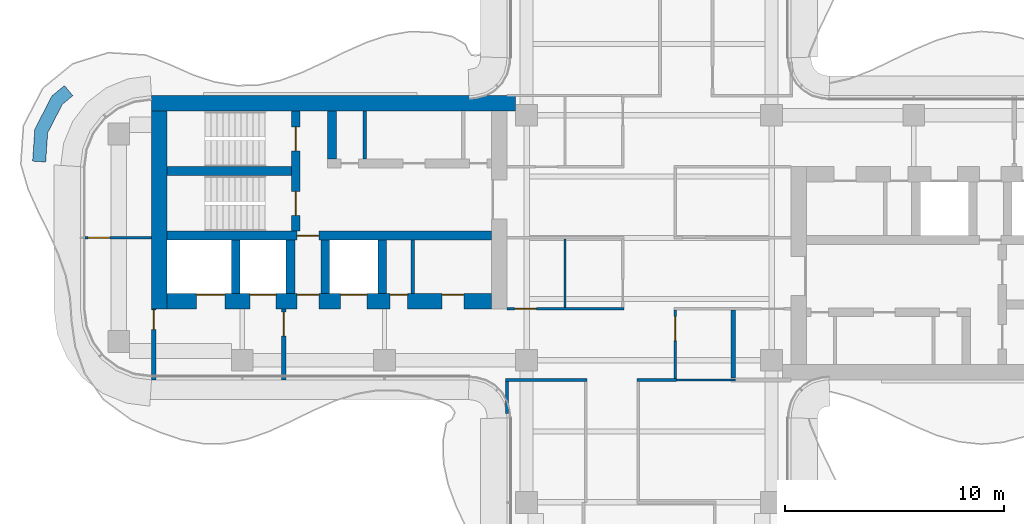
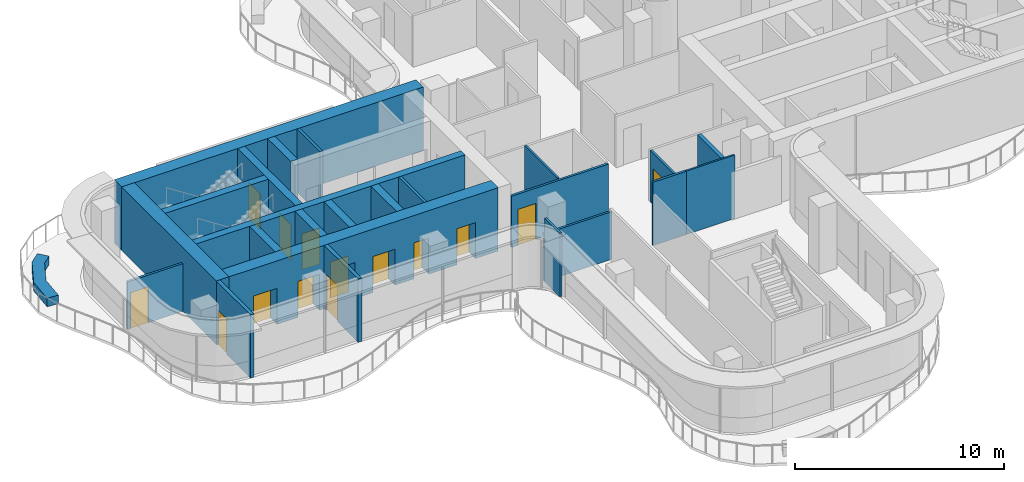
# One storey, part 11 of 16: 25 walls, 14 doors, 14 openings.
"""IFC4 building model written with IfcOpenShell, lengths in metres."""

from ifc_helpers import new_model, si_unit, direction, frame, frame_2d, origin, place, context, subcontext, project, spatial, polyline, rectangle, outline, extrude, source, transform, mapped, material, layer, layer_set, type_object, element, fill, save


model = new_model("IFC4")

# Units and contexts
model_context = context("Model", 3, precision=1e-05, world=origin(), true_north=direction((0.0, 1.0)))
body_context = subcontext(model_context, "Body", "Model", "MODEL_VIEW")
ifc_project = project(units=[si_unit("LENGTHUNIT", "METRE"), si_unit("AREAUNIT", "SQUARE_METRE"), si_unit("VOLUMEUNIT", "CUBIC_METRE"), si_unit("PLANEANGLEUNIT", "RADIAN"), si_unit("MASSUNIT", "GRAM", prefix="KILO")], contexts=[model_context])

# Site, building, storey
site_placement = place(None, origin())
site = spatial("IfcSite", under=ifc_project, at=site_placement, CompositionType="ELEMENT")
building_placement = place(site_placement, origin())
building = spatial("IfcBuilding", under=site, at=building_placement, Name="Trellis Farm Tower", CompositionType="ELEMENT")
storey_placement = place(building_placement, frame((0.0, 0.0, 318.39990234375)))
storey = spatial("IfcBuildingStorey", under=building, at=storey_placement, Name="L72", CompositionType="ELEMENT", Elevation=318.39990234375)

# Walls
ifc_material_1 = material(Name="Plasterboard on steel studs", Category="steel")
ifc_layer_1 = layer(ifc_material_1, 0.10009765625)
ifc_layer_set_1 = layer_set([ifc_layer_1], Name="PARTITION 100 STUD EI 30")
wall_type_1 = type_object("IfcWallType", Name="PARTITION 100 STUD EI 30", PredefinedType="PARTITIONING", material=ifc_layer_set_1)
wall_1_placement = place(storey_placement, frame((1.137451171875, -6.5, 0.0), z_axis=(0.0, 0.0, 1.0), x_axis=(1.0, 0.0, 0.0)))
element("IfcWall", 1, at=wall_1_placement, inside=storey, type_object=wall_type_1, Name="Partition PW2", PredefinedType="PARTITIONING", context=body_context, shape_type="SweptSolid", body=[
    extrude(rectangle(XDim=2.8125, YDim=0.10009765625, at=frame_2d((1.40625, 0.0))), origin(), (0.0, 0.0, 1.0), 3.7001953125),
])
ifc_material_2 = material(Name="Sandstone faced masonry planter", Category="masonry")
ifc_layer_2 = layer(ifc_material_2, 0.60009765625)
ifc_layer_set_2 = layer_set([ifc_layer_2], Name="PLANTER BED 600")
wall_type_2 = type_object("IfcWallType", Name="PLANTER BED 600", PredefinedType="USERDEFINED", material=ifc_layer_set_2)
wall_2_placement = place(storey_placement, origin())
element("IfcWall", 2, at=wall_2_placement, inside=storey, type_object=wall_type_2, Name="PLANTER bed", ObjectType="PLANTER", PredefinedType="USERDEFINED", context=body_context, shape_type="SweptSolid", body=[
    extrude(outline(polyline([(-28.08642578125, 4.96337890625), (-27.302490234375, 6.48583984375), (-26.728759765625, 6.959228515625), (-26.346923828125, 6.496337890625), (-26.82568359375, 6.1015625), (-27.49609375, 4.799072265625), (-27.5869140625, 3.462646484375), (-28.185546875, 3.50341796875), (-28.08642578125, 4.96337890625)])), origin(), (0.0, 0.0, 1.0), 0.5),
])
ifc_material_3 = material(Name="Concrete C50/60", Category="concrete")
ifc_layer_3 = layer(ifc_material_3, 0.699951171875)
ifc_layer_set_3 = layer_set([ifc_layer_3], Name="CORE OUTER WALL 700 CONCRETE C50/60")
wall_type_3 = type_object("IfcWallType", Name="CORE OUTER WALL 700 CONCRETE C50/60", PredefinedType="SHEAR", material=ifc_layer_set_3)
shared_shape_1 = source(origin(), body_context, "Body", "SweptSolid", [
    extrude(rectangle(XDim=9.050048828125, YDim=0.699951171875, at=frame_2d((4.52490234375, 0.0))), origin(), (0.0, 0.0, 1.0), 3.7001953125),
])
wall_3_placement = place(storey_placement, frame((-22.39990234375, 5.800048828125, 0.0), z_axis=(0.0, 0.0, 1.0), x_axis=(0.0, -1.0, 0.0)))
element("IfcWall", 3, at=wall_3_placement, inside=storey, type_object=wall_type_3, Name="Core wall", PredefinedType="SHEAR", context=body_context, shape_type="MappedRepresentation", body=[
    mapped(shared_shape_1, transform((0.0, 0.0, 0.0))),
])
ifc_layer_4 = layer(ifc_material_3, 0.39990234375)
ifc_layer_set_4 = layer_set([ifc_layer_4], Name="CORE INNER WALL 400 CONCRETE C50/60")
wall_type_4 = type_object("IfcWallType", Name="CORE INNER WALL 400 CONCRETE C50/60", PredefinedType="SHEAR", material=ifc_layer_set_4)
shared_shape_2 = source(origin(), body_context, "Body", "SweptSolid", [
    extrude(rectangle(XDim=2.449951171875, YDim=0.39990234375, at=frame_2d((1.22509765625, 0.0))), origin(), (0.0, 0.0, 1.0), 3.7001953125),
])
for number, where, z_axis, x_axis, name in (
    (4, (-12.199951171875, -0.10009765625, 0.0), (0.0, 0.0, 1.0), (0.0, -1.0, 0.0), "Core wall"),
    (5, (-14.800048828125, -0.10009765625, 0.0), (0.0, 0.0, 1.0), (0.0, -1.0, 0.0), "Core wall"),
    (6, (-16.39990234375, -0.10009765625, 0.0), (0.0, 0.0, 1.0), (0.0, -1.0, 0.0), "Core wall"),
    (7, (-18.89990234375, -0.10009765625, 0.0), (0.0, 0.0, 1.0), (0.0, -1.0, 0.0), "Core wall"),
):
    element("IfcWall", number, at=place(storey_placement, frame(where, z_axis=z_axis, x_axis=x_axis)), inside=storey, type_object=wall_type_4, Name=name, PredefinedType="SHEAR", context=body_context, shape_type="MappedRepresentation", body=[
        mapped(shared_shape_2, transform((0.0, 0.0, 0.0))),
    ])

# Wall, opening, door
ifc_material_4 = material(Name="Masonry blockwork", Category="masonry")
ifc_layer_5 = layer(ifc_material_4, 0.199951171875)
ifc_layer_set_5 = layer_set([ifc_layer_5], Name="FIRE LOBBY PARTITION 200 BLOCKWORK")
wall_type_5 = type_object("IfcWallType", Name="FIRE LOBBY PARTITION 200 BLOCKWORK", PredefinedType="PARTITIONING", material=ifc_layer_set_5)
shared_shape_3 = source(origin(), body_context, "Body", "SweptSolid", [
    extrude(rectangle(XDim=3.25, YDim=0.199951171875, at=frame_2d((1.625, 0.0))), origin(), (0.0, 0.0, 1.0), 3.7001953125),
])
wall_4_placement = place(storey_placement, frame((-16.699951171875, -3.25, 0.0), z_axis=(0.0, 0.0, 1.0), x_axis=(0.0, -1.0, 0.0)))
wall_4 = element("IfcWall", 8, at=wall_4_placement, inside=storey, type_object=wall_type_5, Name="Fire-fighting lobby partition", PredefinedType="PARTITIONING", context=body_context, shape_type="MappedRepresentation", body=[
    mapped(shared_shape_3, transform((0.0, 0.0, 0.0))),
])
shared_shape_4 = source(origin(), body_context, "Body", "SweptSolid", [
    extrude(rectangle(XDim=1.10009765625, YDim=2.10009765625, at=frame_2d((0.550048828125, 1.050048828125))), frame((0.0, 0.110107421875, 0.0), z_axis=(0.0, -1.0, 0.0), x_axis=(1.0, 0.0, 0.0)), (0.0, 0.0, 1.0), 0.22021484375),
])
opening_1_placement = place(wall_4_placement, frame((0.14990234375, 0.0, 0.0)))
opening_1 = element("IfcOpeningElement", 9, at=opening_1_placement, cuts=wall_4, Name="Opening DC93", PredefinedType="OPENING", context=body_context, shape_type="MappedRepresentation", body=[
    mapped(shared_shape_4, transform((0.0, 0.0, 0.0))),
])
ifc_material_5 = material(Name="Steel", Category="steel")
door_type_1 = type_object("IfcDoorType", Name="CORE FIRE DOOR 1100 X 2100", OperationType="NOTDEFINED", PredefinedType="DOOR", material=ifc_material_5)
shared_shape_5 = source(origin(), body_context, "Body", "SweptSolid", [
    extrude(rectangle(XDim=1.10009765625, YDim=2.10009765625, at=frame_2d((0.550048828125, 1.050048828125))), frame((0.0, 0.02490234375, 0.0), z_axis=(0.0, -1.0, 0.0), x_axis=(1.0, 0.0, 0.0)), (0.0, 0.0, 1.0), 0.050048828125),
])
door_1_placement = place(opening_1_placement, origin())
door_1 = element("IfcDoor", 10, at=door_1_placement, inside=storey, type_object=door_type_1, Name="Core door", OperationType="SINGLE_SWING_RIGHT", OverallHeight=2.10009765625, OverallWidth=1.10009765625, PredefinedType="DOOR", context=body_context, shape_type="MappedRepresentation", body=[
    mapped(shared_shape_5, transform((0.0, 0.0, 0.0))),
])
fill(opening_1, door_1)

wall_5_placement = place(storey_placement, frame((-22.64990234375, -3.25, 0.0), z_axis=(0.0, 0.0, 1.0), x_axis=(0.0, -1.0, 0.0)))
wall_5 = element("IfcWall", 11, at=wall_5_placement, inside=storey, type_object=wall_type_5, Name="Fire-fighting lobby partition", PredefinedType="PARTITIONING", context=body_context, shape_type="MappedRepresentation", body=[
    mapped(shared_shape_3, transform((0.0, 0.0, 0.0))),
])
shared_shape_6 = source(origin(), body_context, "Body", "SweptSolid", [
    extrude(rectangle(XDim=0.89990234375, YDim=2.10009765625, at=frame_2d((0.449951171875, 1.050048828125))), frame((0.0, 0.110107421875, 0.0), z_axis=(0.0, -1.0, 0.0), x_axis=(1.0, 0.0, 0.0)), (0.0, 0.0, 1.0), 0.22021484375),
])
opening_2_placement = place(wall_5_placement, frame((0.050048828125, 0.0, 0.0)))
opening_2 = element("IfcOpeningElement", 12, at=opening_2_placement, cuts=wall_5, Name="Opening DC94", PredefinedType="OPENING", context=body_context, shape_type="MappedRepresentation", body=[
    mapped(shared_shape_6, transform((0.0, 0.0, 0.0))),
])
door_type_2 = type_object("IfcDoorType", Name="CORE FIRE DOOR 900 X 2100", OperationType="NOTDEFINED", PredefinedType="DOOR", material=ifc_material_5)
shared_shape_7 = source(origin(), body_context, "Body", "SweptSolid", [
    extrude(rectangle(XDim=0.89990234375, YDim=2.10009765625, at=frame_2d((0.449951171875, 1.050048828125))), frame((0.0, 0.02490234375, 0.0), z_axis=(0.0, -1.0, 0.0), x_axis=(1.0, 0.0, 0.0)), (0.0, 0.0, 1.0), 0.050048828125),
])
door_2_placement = place(opening_2_placement, origin())
door_2 = element("IfcDoor", 13, at=door_2_placement, inside=storey, type_object=door_type_2, Name="Core door", OperationType="SINGLE_SWING_RIGHT", OverallHeight=2.10009765625, OverallWidth=0.89990234375, PredefinedType="DOOR", context=body_context, shape_type="MappedRepresentation", body=[
    mapped(shared_shape_7, transform((0.0, 0.0, 0.0))),
])
fill(opening_2, door_2)

# Wall, openings, doors
shared_shape_8 = source(origin(), body_context, "Body", "SweptSolid", [
    extrude(rectangle(XDim=14.85009765625, YDim=0.699951171875, at=frame_2d((7.425048828125, 0.0))), origin(), (0.0, 0.0, 1.0), 3.7001953125),
])
wall_6_placement = place(storey_placement, frame((-7.199951171875, -2.89990234375, 0.0), z_axis=(0.0, 0.0, 1.0), x_axis=(-1.0, 0.0, 0.0)))
wall_6 = element("IfcWall", 14, at=wall_6_placement, inside=storey, type_object=wall_type_3, Name="Core wall", PredefinedType="SHEAR", context=body_context, shape_type="MappedRepresentation", body=[
    mapped(shared_shape_8, transform((0.0, 0.0, 0.0))),
])
shared_shape_9 = source(origin(), body_context, "Body", "SweptSolid", [
    extrude(rectangle(XDim=1.199951171875, YDim=2.10009765625, at=frame_2d((0.60009765625, 1.050048828125))), frame((0.0, 0.360107421875, 0.0), z_axis=(0.0, -1.0, 0.0), x_axis=(1.0, 0.0, 0.0)), (0.0, 0.0, 1.0), 0.72021484375),
])
opening_3_placement = place(wall_6_placement, frame((5.699951171875, 0.0, 0.0)))
opening_3 = element("IfcOpeningElement", 15, at=opening_3_placement, cuts=wall_6, Name="Opening LD14", PredefinedType="OPENING", context=body_context, shape_type="MappedRepresentation", body=[
    mapped(shared_shape_9, transform((0.0, 0.0, 0.0))),
])
shared_shape_10 = source(origin(), body_context, "Body", "SweptSolid", [
    extrude(rectangle(XDim=1.300048828125, YDim=2.10009765625, at=frame_2d((0.64990234375, 1.050048828125))), frame((0.0, 0.360107421875, 0.0), z_axis=(0.0, -1.0, 0.0), x_axis=(1.0, 0.0, 0.0)), (0.0, 0.0, 1.0), 0.72021484375),
])
opening_4_placement = place(wall_6_placement, frame((12.199951171875, 0.0, 0.0)))
opening_4 = element("IfcOpeningElement", 16, at=opening_4_placement, cuts=wall_6, Name="Opening LD15", PredefinedType="OPENING", context=body_context, shape_type="MappedRepresentation", body=[
    mapped(shared_shape_10, transform((0.0, 0.0, 0.0))),
])
opening_5_placement = place(wall_6_placement, frame((9.85009765625, 0.0, 0.0)))
opening_5 = element("IfcOpeningElement", 17, at=opening_5_placement, cuts=wall_6, Name="Opening LD16", PredefinedType="OPENING", context=body_context, shape_type="MappedRepresentation", body=[
    mapped(shared_shape_9, transform((0.0, 0.0, 0.0))),
])
shared_shape_11 = source(origin(), body_context, "Body", "SweptSolid", [
    extrude(rectangle(XDim=1.0, YDim=2.10009765625, at=frame_2d((0.5, 1.050048828125))), frame((0.0, 0.360107421875, 0.0), z_axis=(0.0, -1.0, 0.0), x_axis=(1.0, 0.0, 0.0)), (0.0, 0.0, 1.0), 0.72021484375),
])
opening_6_placement = place(wall_6_placement, frame((7.89990234375, 0.0, 0.0)))
opening_6 = element("IfcOpeningElement", 18, at=opening_6_placement, cuts=wall_6, Name="Opening DC92", PredefinedType="OPENING", context=body_context, shape_type="MappedRepresentation", body=[
    mapped(shared_shape_11, transform((0.0, 0.0, 0.0))),
])
opening_7_placement = place(wall_6_placement, frame((1.262451171875, 0.0, 0.0)))
opening_7 = element("IfcOpeningElement", 19, at=opening_7_placement, cuts=wall_6, Name="Opening DC100", PredefinedType="OPENING", context=body_context, shape_type="MappedRepresentation", body=[
    mapped(shared_shape_11, transform((0.0, 0.0, 0.0))),
])
shared_shape_12 = source(origin(), body_context, "Body", "SweptSolid", [
    extrude(rectangle(XDim=0.800048828125, YDim=2.10009765625, at=frame_2d((0.39990234375, 1.050048828125))), frame((0.0, 0.360107421875, 0.0), z_axis=(0.0, -1.0, 0.0), x_axis=(1.0, 0.0, 0.0)), (0.0, 0.0, 1.0), 0.72021484375),
])
opening_8_placement = place(wall_6_placement, frame((3.83740234375, 0.0, 0.0)))
opening_8 = element("IfcOpeningElement", 20, at=opening_8_placement, cuts=wall_6, Name="Opening DC101", PredefinedType="OPENING", context=body_context, shape_type="MappedRepresentation", body=[
    mapped(shared_shape_12, transform((0.0, 0.0, 0.0))),
])
door_type_3 = type_object("IfcDoorType", Name="CORE FIRE DOOR 1000 X 2100", OperationType="NOTDEFINED", PredefinedType="DOOR", material=ifc_material_5)
shared_shape_13 = source(origin(), body_context, "Body", "SweptSolid", [
    extrude(rectangle(XDim=1.0, YDim=2.10009765625, at=frame_2d((0.5, 1.050048828125))), frame((0.0, -0.27490234375, 0.0), z_axis=(0.0, -1.0, 0.0), x_axis=(1.0, 0.0, 0.0)), (0.0, 0.0, 1.0), 0.050048828125),
])
door_3_placement = place(opening_6_placement, origin())
door_3 = element("IfcDoor", 21, at=door_3_placement, inside=storey, type_object=door_type_3, Name="Core door", OperationType="SINGLE_SWING_LEFT", OverallHeight=2.10009765625, OverallWidth=1.0, PredefinedType="DOOR", context=body_context, shape_type="MappedRepresentation", body=[
    mapped(shared_shape_13, transform((0.0, 0.0, 0.0))),
])
fill(opening_6, door_3)
door_4_placement = place(opening_7_placement, origin())
door_4 = element("IfcDoor", 22, at=door_4_placement, inside=storey, type_object=door_type_3, Name="Core door", OperationType="SINGLE_SWING_RIGHT", OverallHeight=2.10009765625, OverallWidth=1.0, PredefinedType="DOOR", context=body_context, shape_type="MappedRepresentation", body=[
    mapped(shared_shape_13, transform((0.0, 0.0, 0.0))),
])
fill(opening_7, door_4)
ifc_material_6 = material(Name="Stainless steel", Category="steel")
door_type_4 = type_object("IfcDoorType", Name="LIFT LANDING DOOR 1300 X 2100", OperationType="DOUBLE_DOOR_SLIDING", PredefinedType="DOOR", material=ifc_material_6)
shared_shape_14 = source(origin(), body_context, "Body", "SweptSolid", [
    extrude(rectangle(XDim=1.300048828125, YDim=2.10009765625, at=frame_2d((0.64990234375, 1.050048828125))), frame((0.0, -0.27490234375, 0.0), z_axis=(0.0, -1.0, 0.0), x_axis=(1.0, 0.0, 0.0)), (0.0, 0.0, 1.0), 0.050048828125),
])
door_5_placement = place(opening_4_placement, origin())
door_5 = element("IfcDoor", 23, at=door_5_placement, inside=storey, type_object=door_type_4, Name="Lift landing door", OperationType="DOUBLE_DOOR_SLIDING", OverallHeight=2.10009765625, OverallWidth=1.300048828125, PredefinedType="DOOR", context=body_context, shape_type="MappedRepresentation", body=[
    mapped(shared_shape_14, transform((0.0, 0.0, 0.0))),
])
fill(opening_4, door_5)
door_type_5 = type_object("IfcDoorType", Name="LIFT LANDING DOOR 1200 X 2100", OperationType="DOUBLE_DOOR_SLIDING", PredefinedType="DOOR", material=ifc_material_6)
shared_shape_15 = source(origin(), body_context, "Body", "SweptSolid", [
    extrude(rectangle(XDim=1.199951171875, YDim=2.10009765625, at=frame_2d((0.60009765625, 1.050048828125))), frame((0.0, -0.27490234375, 0.0), z_axis=(0.0, -1.0, 0.0), x_axis=(1.0, 0.0, 0.0)), (0.0, 0.0, 1.0), 0.050048828125),
])
door_6_placement = place(opening_3_placement, origin())
door_6 = element("IfcDoor", 24, at=door_6_placement, inside=storey, type_object=door_type_5, Name="Lift landing door", OperationType="DOUBLE_DOOR_SLIDING", OverallHeight=2.10009765625, OverallWidth=1.199951171875, PredefinedType="DOOR", context=body_context, shape_type="MappedRepresentation", body=[
    mapped(shared_shape_15, transform((0.0, 0.0, 0.0))),
])
fill(opening_3, door_6)
door_7_placement = place(opening_5_placement, origin())
door_7 = element("IfcDoor", 25, at=door_7_placement, inside=storey, type_object=door_type_5, Name="Lift landing door", OperationType="DOUBLE_DOOR_SLIDING", OverallHeight=2.10009765625, OverallWidth=1.199951171875, PredefinedType="DOOR", context=body_context, shape_type="MappedRepresentation", body=[
    mapped(shared_shape_15, transform((0.0, 0.0, 0.0))),
])
fill(opening_5, door_7)
door_type_6 = type_object("IfcDoorType", Name="CORE FIRE DOOR 800 X 2100", OperationType="NOTDEFINED", PredefinedType="DOOR", material=ifc_material_5)
shared_shape_16 = source(origin(), body_context, "Body", "SweptSolid", [
    extrude(rectangle(XDim=0.800048828125, YDim=2.10009765625, at=frame_2d((0.39990234375, 1.050048828125))), frame((0.0, -0.27490234375, 0.0), z_axis=(0.0, -1.0, 0.0), x_axis=(1.0, 0.0, 0.0)), (0.0, 0.0, 1.0), 0.050048828125),
])
door_8_placement = place(opening_8_placement, origin())
door_8 = element("IfcDoor", 26, at=door_8_placement, inside=storey, type_object=door_type_6, Name="Core door", OperationType="SINGLE_SWING_LEFT", OverallHeight=2.10009765625, OverallWidth=0.800048828125, PredefinedType="DOOR", context=body_context, shape_type="MappedRepresentation", body=[
    mapped(shared_shape_16, transform((0.0, 0.0, 0.0))),
])
fill(opening_8, door_8)

# Wall, opening, door
shared_shape_17 = source(origin(), body_context, "Body", "SweptSolid", [
    extrude(rectangle(XDim=14.85009765625, YDim=0.39990234375, at=frame_2d((7.425048828125, 0.0))), origin(), (0.0, 0.0, 1.0), 3.7001953125),
])
wall_7_placement = place(storey_placement, frame((-7.199951171875, 0.10009765625, 0.0), z_axis=(0.0, 0.0, 1.0), x_axis=(-1.0, 0.0, 0.0)))
wall_7 = element("IfcWall", 27, at=wall_7_placement, inside=storey, type_object=wall_type_4, Name="Core wall", PredefinedType="SHEAR", context=body_context, shape_type="MappedRepresentation", body=[
    mapped(shared_shape_17, transform((0.0, 0.0, 0.0))),
])
shared_shape_18 = source(origin(), body_context, "Body", "SweptSolid", [
    extrude(rectangle(XDim=1.0, YDim=2.10009765625, at=frame_2d((0.5, 1.050048828125))), frame((0.0, 0.2099609375, 0.0), z_axis=(0.0, -1.0, 0.0), x_axis=(1.0, 0.0, 0.0)), (0.0, 0.0, 1.0), 0.419921875),
])
opening_9_placement = place(wall_7_placement, frame((7.89990234375, 0.0, 0.0)))
opening_9 = element("IfcOpeningElement", 28, at=opening_9_placement, cuts=wall_7, Name="Opening DC91", PredefinedType="OPENING", context=body_context, shape_type="MappedRepresentation", body=[
    mapped(shared_shape_18, transform((0.0, 0.0, 0.0))),
])
shared_shape_19 = source(origin(), body_context, "Body", "SweptSolid", [
    extrude(rectangle(XDim=1.0, YDim=2.10009765625, at=frame_2d((0.5, 1.050048828125))), frame((0.0, 0.02490234375, 0.0), z_axis=(0.0, -1.0, 0.0), x_axis=(1.0, 0.0, 0.0)), (0.0, 0.0, 1.0), 0.050048828125),
])
door_9_placement = place(opening_9_placement, origin())
door_9 = element("IfcDoor", 29, at=door_9_placement, inside=storey, type_object=door_type_3, Name="Core door", OperationType="SINGLE_SWING_RIGHT", OverallHeight=2.10009765625, OverallWidth=1.0, PredefinedType="DOOR", context=body_context, shape_type="MappedRepresentation", body=[
    mapped(shared_shape_19, transform((0.0, 0.0, 0.0))),
])
fill(opening_9, door_9)

# Wall, openings, doors
shared_shape_20 = source(origin(), body_context, "Body", "SweptSolid", [
    extrude(rectangle(XDim=5.5, YDim=0.39990234375, at=frame_2d((2.75, 0.0))), origin(), (0.0, 0.0, 1.0), 3.7001953125),
])
wall_8_placement = place(storey_placement, frame((-16.14990234375, 5.800048828125, 0.0), z_axis=(0.0, 0.0, 1.0), x_axis=(0.0, -1.0, 0.0)))
wall_8 = element("IfcWall", 30, at=wall_8_placement, inside=storey, type_object=wall_type_4, Name="Core wall", PredefinedType="SHEAR", context=body_context, shape_type="MappedRepresentation", body=[
    mapped(shared_shape_20, transform((0.0, 0.0, 0.0))),
])
shared_shape_21 = source(origin(), body_context, "Body", "SweptSolid", [
    extrude(rectangle(XDim=1.10009765625, YDim=2.10009765625, at=frame_2d((0.550048828125, 1.050048828125))), frame((0.0, 0.2099609375, 0.0), z_axis=(0.0, -1.0, 0.0), x_axis=(1.0, 0.0, 0.0)), (0.0, 0.0, 1.0), 0.419921875),
])
opening_10_placement = place(wall_8_placement, frame((0.72509765625, 0.0, 0.0)))
opening_10 = element("IfcOpeningElement", 31, at=opening_10_placement, cuts=wall_8, Name="Opening DC88", PredefinedType="OPENING", context=body_context, shape_type="MappedRepresentation", body=[
    mapped(shared_shape_21, transform((0.0, 0.0, 0.0))),
])
opening_11_placement = place(wall_8_placement, frame((3.675048828125, 0.0, 0.0)))
opening_11 = element("IfcOpeningElement", 32, at=opening_11_placement, cuts=wall_8, Name="Opening DC89", PredefinedType="OPENING", context=body_context, shape_type="MappedRepresentation", body=[
    mapped(shared_shape_21, transform((0.0, 0.0, 0.0))),
])
door_10_placement = place(opening_10_placement, origin())
door_10 = element("IfcDoor", 33, at=door_10_placement, inside=storey, type_object=door_type_1, Name="Core door", OperationType="SINGLE_SWING_RIGHT", OverallHeight=2.10009765625, OverallWidth=1.10009765625, PredefinedType="DOOR", context=body_context, shape_type="MappedRepresentation", body=[
    mapped(shared_shape_5, transform((0.0, 0.0, 0.0))),
])
fill(opening_10, door_10)
door_11_placement = place(opening_11_placement, origin())
door_11 = element("IfcDoor", 34, at=door_11_placement, inside=storey, type_object=door_type_1, Name="Core door", OperationType="SINGLE_SWING_LEFT", OverallHeight=2.10009765625, OverallWidth=1.10009765625, PredefinedType="DOOR", context=body_context, shape_type="MappedRepresentation", body=[
    mapped(shared_shape_5, transform((0.0, 0.0, 0.0))),
])
fill(opening_11, door_11)

# Walls
shared_shape_22 = source(origin(), body_context, "Body", "SweptSolid", [
    extrude(rectangle(XDim=5.699951171875, YDim=0.39990234375, at=frame_2d((2.85009765625, 0.0))), origin(), (0.0, 0.0, 1.0), 3.7001953125),
])
wall_9_placement = place(storey_placement, frame((-16.35009765625, 3.050048828125, 0.0), z_axis=(0.0, 0.0, 1.0), x_axis=(-1.0, 0.0, 0.0)))
element("IfcWall", 35, at=wall_9_placement, inside=storey, type_object=wall_type_4, Name="Core wall", PredefinedType="SHEAR", context=body_context, shape_type="MappedRepresentation", body=[
    mapped(shared_shape_22, transform((0.0, 0.0, 0.0))),
])
shared_shape_23 = source(origin(), body_context, "Body", "SweptSolid", [
    extrude(rectangle(XDim=2.199951171875, YDim=0.39990234375, at=frame_2d((1.10009765625, 0.0))), origin(), (0.0, 0.0, 1.0), 3.7001953125),
])
wall_10_placement = place(storey_placement, frame((-14.5, 5.800048828125, 0.0), z_axis=(0.0, 0.0, 1.0), x_axis=(0.0, -1.0, 0.0)))
element("IfcWall", 36, at=wall_10_placement, inside=storey, type_object=wall_type_4, Name="Core wall", PredefinedType="SHEAR", context=body_context, shape_type="MappedRepresentation", body=[
    mapped(shared_shape_23, transform((0.0, 0.0, 0.0))),
])
ifc_layer_6 = layer(ifc_material_4, 0.14990234375)
ifc_layer_set_6 = layer_set([ifc_layer_6], Name="CORE PARTITION 150 BLOCKWORK")
wall_type_6 = type_object("IfcWallType", Name="CORE PARTITION 150 BLOCKWORK", PredefinedType="PARTITIONING", material=ifc_layer_set_6)
shared_shape_24 = source(origin(), body_context, "Body", "SweptSolid", [
    extrude(rectangle(XDim=2.199951171875, YDim=0.14990234375, at=frame_2d((1.10009765625, 0.0))), origin(), (0.0, 0.0, 1.0), 3.7001953125),
])
wall_11_placement = place(storey_placement, frame((-13.0, 5.800048828125, 0.0), z_axis=(0.0, 0.0, 1.0), x_axis=(0.0, -1.0, 0.0)))
element("IfcWall", 37, at=wall_11_placement, inside=storey, type_object=wall_type_6, Name="Core room partition", PredefinedType="PARTITIONING", context=body_context, shape_type="MappedRepresentation", body=[
    mapped(shared_shape_24, transform((0.0, 0.0, 0.0))),
])
shared_shape_25 = source(origin(), body_context, "Body", "SweptSolid", [
    extrude(rectangle(XDim=16.64990234375, YDim=0.699951171875, at=frame_2d((8.324951171875, 0.0))), origin(), (0.0, 0.0, 1.0), 3.7001953125),
])
wall_12_placement = place(storey_placement, frame((-6.10009765625, 6.14990234375, 0.0), z_axis=(0.0, 0.0, 1.0), x_axis=(-1.0, 0.0, 0.0)))
element("IfcWall", 38, at=wall_12_placement, inside=storey, type_object=wall_type_3, Name="Core wall", PredefinedType="SHEAR", context=body_context, shape_type="MappedRepresentation", body=[
    mapped(shared_shape_25, transform((0.0, 0.0, 0.0))),
])
shared_shape_26 = source(origin(), body_context, "Body", "SweptSolid", [
    extrude(rectangle(XDim=2.449951171875, YDim=0.14990234375, at=frame_2d((1.22509765625, 0.0))), origin(), (0.0, 0.0, 1.0), 3.7001953125),
])
wall_13_placement = place(storey_placement, frame((-10.800048828125, -0.10009765625, 0.0), z_axis=(0.0, 0.0, 1.0), x_axis=(0.0, -1.0, 0.0)))
element("IfcWall", 39, at=wall_13_placement, inside=storey, type_object=wall_type_6, Name="Core room partition", PredefinedType="PARTITIONING", context=body_context, shape_type="MappedRepresentation", body=[
    mapped(shared_shape_26, transform((0.0, 0.0, 0.0))),
])

# Wall, opening, door
ifc_material_7 = material(Name="Plasterboard on steel studs, mineral wool", Category="steel")
ifc_layer_7 = layer(ifc_material_7, 0.125)
ifc_layer_set_7 = layer_set([ifc_layer_7], Name="PARTITION 125 STUD EI 60")
wall_type_7 = type_object("IfcWallType", Name="PARTITION 125 STUD EI 60", PredefinedType="PARTITIONING", material=ifc_layer_set_7)
shared_shape_27 = source(origin(), body_context, "Body", "SweptSolid", [
    extrude(rectangle(XDim=3.137451171875, YDim=0.125, at=frame_2d((1.56884765625, 0.0))), origin(), (0.0, 0.0, 1.0), 2.99658203125),
])
wall_14_placement = place(storey_placement, frame((1.199951171875, -3.3125, 0.0), z_axis=(0.0, 0.0, 1.0), x_axis=(0.0, -1.0, 0.0)))
wall_14 = element("IfcWall", 40, at=wall_14_placement, inside=storey, type_object=wall_type_7, Name="Partition PW1", PredefinedType="PARTITIONING", context=body_context, shape_type="MappedRepresentation", body=[
    mapped(shared_shape_27, transform((0.0, 0.0, 0.0))),
])
shared_shape_28 = source(origin(), body_context, "Body", "SweptSolid", [
    extrude(rectangle(XDim=1.10009765625, YDim=2.10009765625, at=frame_2d((0.550048828125, 1.050048828125))), frame((0.0, 0.072509765625, 0.0), z_axis=(0.0, -1.0, 0.0), x_axis=(1.0, 0.0, 0.0)), (0.0, 0.0, 1.0), 0.14501953125),
])
opening_12_placement = place(wall_14_placement, frame((0.28759765625, 0.0, 0.0)))
opening_12 = element("IfcOpeningElement", 41, at=opening_12_placement, cuts=wall_14, Name="Opening D501", PredefinedType="OPENING", context=body_context, shape_type="MappedRepresentation", body=[
    mapped(shared_shape_28, transform((0.0, 0.0, 0.0))),
])
ifc_material_8 = material(Name="Fire-rated timber door leaf in a hollow metal frame", Category="wood")
door_type_7 = type_object("IfcDoorType", Name="DOOR 1100x2100 FD30S", OperationType="NOTDEFINED", PredefinedType="DOOR", material=ifc_material_8)
door_12_placement = place(opening_12_placement, origin())
door_12 = element("IfcDoor", 42, at=door_12_placement, inside=storey, type_object=door_type_7, Name="Door D501", OperationType="SINGLE_SWING_LEFT", OverallHeight=2.10009765625, OverallWidth=1.10009765625, PredefinedType="DOOR", context=body_context, shape_type="MappedRepresentation", body=[
    mapped(shared_shape_5, transform((0.0, 0.0, 0.0))),
])
fill(opening_12, door_12)

shared_shape_29 = source(origin(), body_context, "Body", "SweptSolid", [
    extrude(rectangle(XDim=5.362548828125, YDim=0.125, at=frame_2d((2.68115234375, 0.0))), origin(), (0.0, 0.0, 1.0), 2.99658203125),
])
wall_15_placement = place(storey_placement, frame((-1.137451171875, -3.25, 0.0), z_axis=(0.0, 0.0, 1.0), x_axis=(-1.0, 0.0, 0.0)))
wall_15 = element("IfcWall", 43, at=wall_15_placement, inside=storey, type_object=wall_type_7, Name="Partition PW1", PredefinedType="PARTITIONING", context=body_context, shape_type="MappedRepresentation", body=[
    mapped(shared_shape_29, transform((0.0, 0.0, 0.0))),
])
shared_shape_30 = source(origin(), body_context, "Body", "SweptSolid", [
    extrude(rectangle(XDim=1.0, YDim=2.10009765625, at=frame_2d((0.5, 1.050048828125))), frame((0.0, 0.072509765625, 0.0), z_axis=(0.0, -1.0, 0.0), x_axis=(1.0, 0.0, 0.0)), (0.0, 0.0, 1.0), 0.14501953125),
])
opening_13_placement = place(wall_15_placement, frame((4.012451171875, 0.0, 0.0)))
opening_13 = element("IfcOpeningElement", 44, at=opening_13_placement, cuts=wall_15, Name="Opening D102", PredefinedType="OPENING", context=body_context, shape_type="MappedRepresentation", body=[
    mapped(shared_shape_30, transform((0.0, 0.0, 0.0))),
])
door_type_8 = type_object("IfcDoorType", Name="DOOR 1000x2100 FD30S", OperationType="NOTDEFINED", PredefinedType="DOOR", material=ifc_material_8)
door_13_placement = place(opening_13_placement, origin())
door_13 = element("IfcDoor", 45, at=door_13_placement, inside=storey, type_object=door_type_8, Name="Door D102", OperationType="SINGLE_SWING_RIGHT", OverallHeight=2.10009765625, OverallWidth=1.0, PredefinedType="DOOR", context=body_context, shape_type="MappedRepresentation", body=[
    mapped(shared_shape_19, transform((0.0, 0.0, 0.0))),
])
fill(opening_13, door_13)

# Walls
shared_shape_31 = source(origin(), body_context, "Body", "SweptSolid", [
    extrude(rectangle(XDim=3.72509765625, YDim=0.125, at=frame_2d((1.862548828125, 0.0))), origin(), (0.0, 0.0, 1.0), 2.780029296875),
])
wall_16_placement = place(storey_placement, frame((-2.83740234375, -6.5, 0.0), z_axis=(0.0, 0.0, 1.0), x_axis=(-1.0, 0.0, 0.0)))
element("IfcWall", 46, at=wall_16_placement, inside=storey, type_object=wall_type_7, Name="Partition PW1", PredefinedType="PARTITIONING", context=body_context, shape_type="MappedRepresentation", body=[
    mapped(shared_shape_31, transform((0.0, 0.0, 0.0))),
])
shared_shape_32 = source(origin(), body_context, "Body", "SweptSolid", [
    extrude(rectangle(XDim=1.468994140625, YDim=0.125, at=frame_2d((0.734375, 0.0))), origin(), (0.0, 0.0, 1.0), 3.7001953125),
])
wall_17_placement = place(storey_placement, frame((-6.5, -6.5625, 0.0), z_axis=(0.0, 0.0, 1.0), x_axis=(0.0, -1.0, 0.0)))
element("IfcWall", 47, at=wall_17_placement, inside=storey, type_object=wall_type_7, Name="Partition PW1", PredefinedType="PARTITIONING", context=body_context, shape_type="MappedRepresentation", body=[
    mapped(shared_shape_32, transform((0.0, 0.0, 0.0))),
])
shared_shape_33 = source(origin(), body_context, "Body", "SweptSolid", [
    extrude(rectangle(XDim=1.824951171875, YDim=0.125, at=frame_2d((0.91259765625, 0.0))), origin(), (0.0, 0.0, 1.0), 3.7001953125),
])
wall_18_placement = place(storey_placement, frame((1.262451171875, -6.5, 0.0), z_axis=(0.0, 0.0, 1.0), x_axis=(-1.0, 0.0, 0.0)))
element("IfcWall", 48, at=wall_18_placement, inside=storey, type_object=wall_type_7, Name="Partition PW1", PredefinedType="PARTITIONING", context=body_context, shape_type="MappedRepresentation", body=[
    mapped(shared_shape_33, transform((0.0, 0.0, 0.0))),
])

# Wall, opening, door
shared_shape_34 = source(origin(), body_context, "Body", "SweptSolid", [
    extrude(rectangle(XDim=3.050048828125, YDim=0.125, at=frame_2d((1.52490234375, 0.0))), origin(), (0.0, 0.0, 1.0), 2.780029296875),
])
wall_19_placement = place(storey_placement, frame((-25.800048828125, 0.0, 0.0), z_axis=(0.0, 0.0, 1.0), x_axis=(1.0, 0.0, 0.0)))
wall_19 = element("IfcWall", 49, at=wall_19_placement, inside=storey, type_object=wall_type_7, Name="Partition PW1", PredefinedType="PARTITIONING", context=body_context, shape_type="MappedRepresentation", body=[
    mapped(shared_shape_34, transform((0.0, 0.0, 0.0))),
])
opening_14_placement = place(wall_19_placement, frame((0.14990234375, 0.0, 0.0)))
opening_14 = element("IfcOpeningElement", 50, at=opening_14_placement, cuts=wall_19, Name="Opening D104", PredefinedType="OPENING", context=body_context, shape_type="MappedRepresentation", body=[
    mapped(shared_shape_30, transform((0.0, 0.0, 0.0))),
])
door_14_placement = place(opening_14_placement, origin())
door_14 = element("IfcDoor", 51, at=door_14_placement, inside=storey, type_object=door_type_8, Name="Door D104", OperationType="SINGLE_SWING_LEFT", OverallHeight=2.10009765625, OverallWidth=1.0, PredefinedType="DOOR", context=body_context, shape_type="MappedRepresentation", body=[
    mapped(shared_shape_19, transform((0.0, 0.0, 0.0))),
])
fill(opening_14, door_14)

# Walls
shared_shape_35 = source(origin(), body_context, "Body", "SweptSolid", [
    extrude(rectangle(XDim=3.125, YDim=0.10009765625, at=frame_2d((1.5625, 0.0))), origin(), (0.0, 0.0, 1.0), 3.06787109375),
])
wall_20_placement = place(storey_placement, frame((-3.85009765625, -3.1875, 0.0), z_axis=(0.0, 0.0, 1.0), x_axis=(0.0, 1.0, 0.0)))
element("IfcWall", 52, at=wall_20_placement, inside=storey, type_object=wall_type_1, Name="Partition PW2", PredefinedType="PARTITIONING", context=body_context, shape_type="MappedRepresentation", body=[
    mapped(shared_shape_35, transform((0.0, 0.0, 0.0))),
])
ifc_material_9 = material(Name="Lightweight blockwork, plastered", Category="masonry")
ifc_layer_8 = layer(ifc_material_9, 0.199951171875)
ifc_layer_set_8 = layer_set([ifc_layer_8], Name="BLOCK WALL 200 EI 120")
wall_type_8 = type_object("IfcWallType", Name="BLOCK WALL 200 EI 120", PredefinedType="PARTITIONING", material=ifc_layer_set_8)
shared_shape_36 = source(origin(), body_context, "Body", "SweptSolid", [
    extrude(rectangle(XDim=3.08740234375, YDim=0.199951171875, at=frame_2d((1.543701171875, 0.0))), origin(), (0.0, 0.0, 1.0), 2.99658203125),
])
wall_21_placement = place(storey_placement, frame((3.85009765625, -6.39990234375, 0.0), z_axis=(0.0, 0.0, 1.0), x_axis=(0.0, 1.0, 0.0)))
element("IfcWall", 53, at=wall_21_placement, inside=storey, type_object=wall_type_8, Name="Partition PW3", PredefinedType="PARTITIONING", context=body_context, shape_type="MappedRepresentation", body=[
    mapped(shared_shape_36, transform((0.0, 0.0, 0.0))),
])

save(model, "model.ifc")
